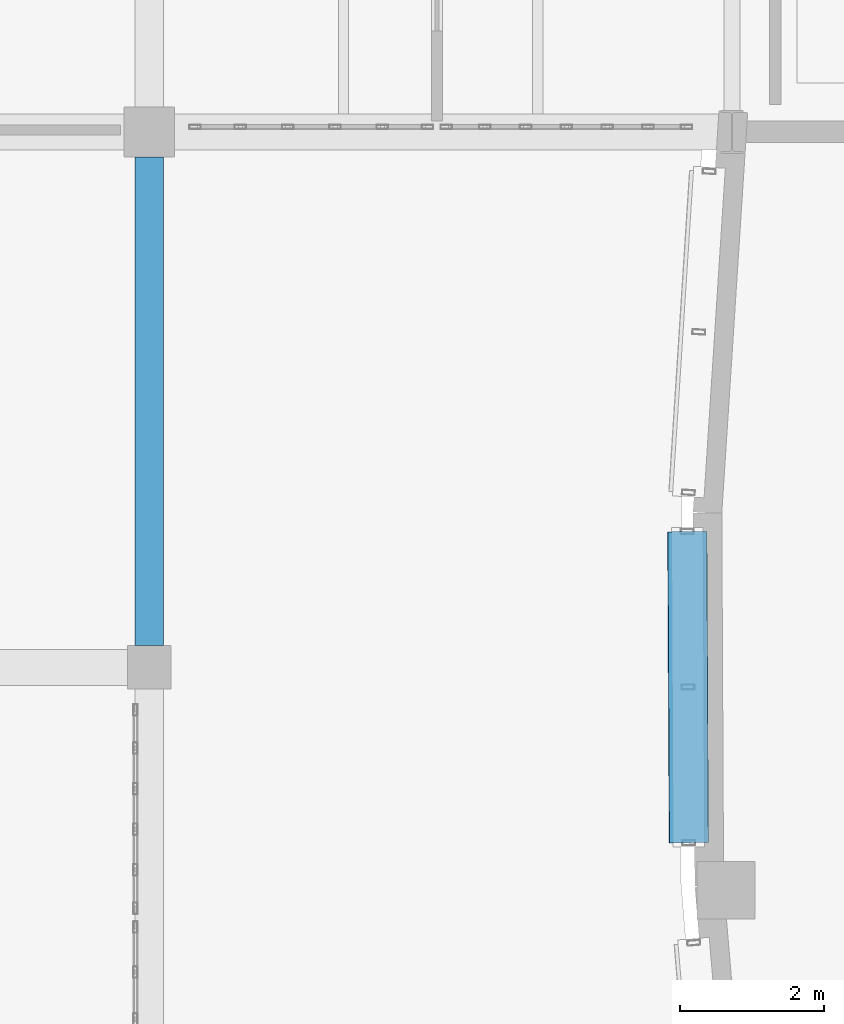
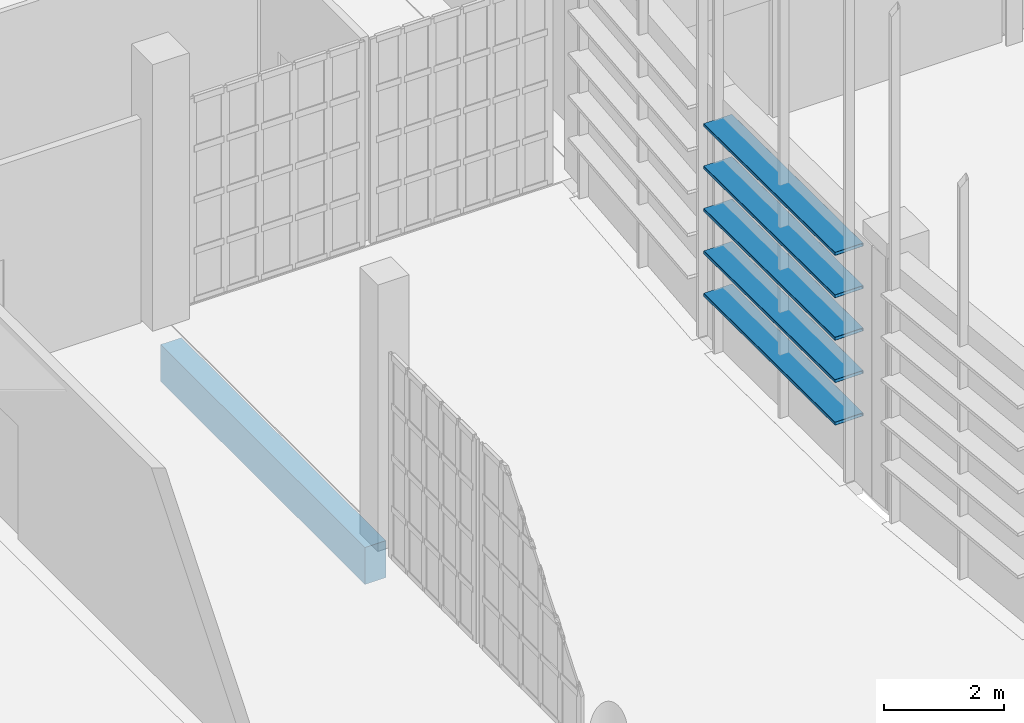
# One storey, part 92 of 372: 5 members, 1 beam.
"""IFC4 building model written with IfcOpenShell, lengths in metres."""

from ifc_helpers import new_model, si_unit, direction, frame, origin, origin_2d, place, context, subcontext, project, spatial, rectangle, hollow_rectangle, extrude, material, material_profile, profile_set, type_object, element, save


model = new_model("IFC4")

# Units and contexts
model_context = context("Model", 3, precision=1e-05, world=origin(), true_north=direction((0.0, 1.0)))
body_context = subcontext(model_context, "Body", "Model", "MODEL_VIEW")
ifc_project = project(units=[si_unit("LENGTHUNIT", "METRE"), si_unit("AREAUNIT", "SQUARE_METRE"), si_unit("VOLUMEUNIT", "CUBIC_METRE"), si_unit("PLANEANGLEUNIT", "RADIAN"), si_unit("MASSUNIT", "GRAM", prefix="KILO")], contexts=[model_context])

# Site, building, storey
site_placement = place(None, origin())
site = spatial("IfcSite", under=ifc_project, at=site_placement, CompositionType="ELEMENT")
building_placement = place(site_placement, origin())
building = spatial("IfcBuilding", under=site, at=building_placement, Name="Kaelora Sail Theatre", CompositionType="ELEMENT")
storey_placement = place(building_placement, origin())
storey = spatial("IfcBuildingStorey", under=building, at=storey_placement, Name="L00", CompositionType="ELEMENT", Elevation=0.0)

# Members
ifc_material_1 = material(Name="Anodised aluminium 6063-T6", Category="aluminium")
ifc_material_profile_1 = material_profile(ifc_material_1, hollow_rectangle(XDim=0.550048828125, YDim=0.06494140625, WallThickness=0.00390625, InnerFilletRadius=0.00390625, OuterFilletRadius=0.008056640625, at=origin_2d()), Name="LOUVRE 550x65x4")
ifc_profile_set_1 = profile_set([ifc_material_profile_1], Name="Anodised aluminium 6063-T6")
member_type = type_object("IfcMemberType", Name="ARC-MEM-LVR-300", PredefinedType="USERDEFINED", material=ifc_profile_set_1)
for number, where, z_axis, x_axis, name in (
    (1, (25.2001953125, 51.141845703125, 1.25), (-0.004856504733, 0.999988207111, 0.0), (-0.999988207111, -0.004856504733, 0.0), "Main Theatre Sail Drum horizontal solar louvre C21-01"),
    (2, (25.2001953125, 51.141845703125, 2.110107421875), (-0.004856504733, 0.999988207111, 0.0), (-0.999988207111, -0.004856504733, 0.0), "Main Theatre Sail Drum horizontal solar louvre C21-02"),
    (3, (25.2001953125, 51.141845703125, 2.969970703125), (-0.004856504733, 0.999988207111, 0.0), (-0.999988207111, -0.004856504733, 0.0), "Main Theatre Sail Drum horizontal solar louvre C21-03"),
    (4, (25.2001953125, 51.141845703125, 3.830078125), (-0.004856504733, 0.999988207111, 0.0), (-0.999988207111, -0.004856504733, 0.0), "Main Theatre Sail Drum horizontal solar louvre C21-04"),
    (5, (25.2001953125, 51.141845703125, 4.68994140625), (-0.004856504733, 0.999988207111, 0.0), (-0.999988207111, -0.004856504733, 0.0), "Main Theatre Sail Drum horizontal solar louvre C21-05"),
):
    element("IfcMember", number, at=place(storey_placement, frame(where, z_axis=z_axis, x_axis=x_axis)), inside=storey, type_object=member_type, Name=name, ObjectType="LOUVRE", PredefinedType="USERDEFINED", context=body_context, shape_type="SweptSolid", body=[
        extrude(hollow_rectangle(XDim=0.550048828125, YDim=0.06494140625, WallThickness=0.00390625, InnerFilletRadius=0.00390625, OuterFilletRadius=0.008056640625, at=origin_2d()), origin(), (0.0, 0.0, 1.0), 4.3232421875),
    ])

# Beam
ifc_material_2 = material(Name="Concrete C40/50", Category="concrete")
ifc_material_profile_2 = material_profile(ifc_material_2, rectangle(XDim=0.39990234375, YDim=0.75, at=origin_2d()), Name="RC-BM 400x750")
ifc_profile_set_2 = profile_set([ifc_material_profile_2], Name="Concrete C40/50")
beam_type = type_object("IfcBeamType", Name="STR-BM-BM-RC4075", PredefinedType="BEAM", material=ifc_profile_set_2)
beam_placement = place(storey_placement, frame((17.699951171875, 53.8798828125, -0.695068359375), z_axis=(0.0, 1.0, 0.0), x_axis=(-1.0, 0.0, 0.0)))
element("IfcBeam", 6, at=beam_placement, inside=storey, type_object=beam_type, Name="Primary beam 3 H-I (L00)", PredefinedType="BEAM", context=body_context, shape_type="SweptSolid", body=[
    extrude(rectangle(XDim=0.39990234375, YDim=0.75, at=origin_2d()), origin(), (0.0, 0.0, 1.0), 6.7900390625),
])

save(model, "model.ifc")
